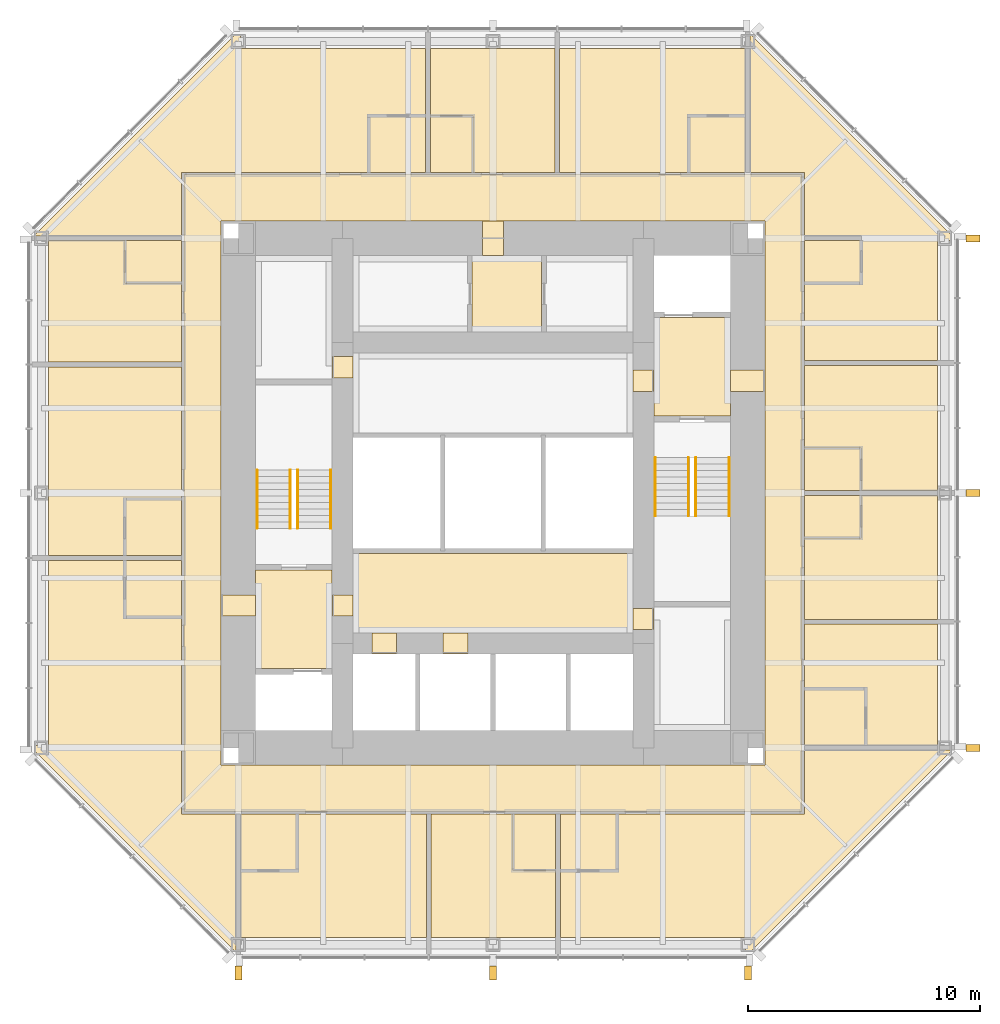
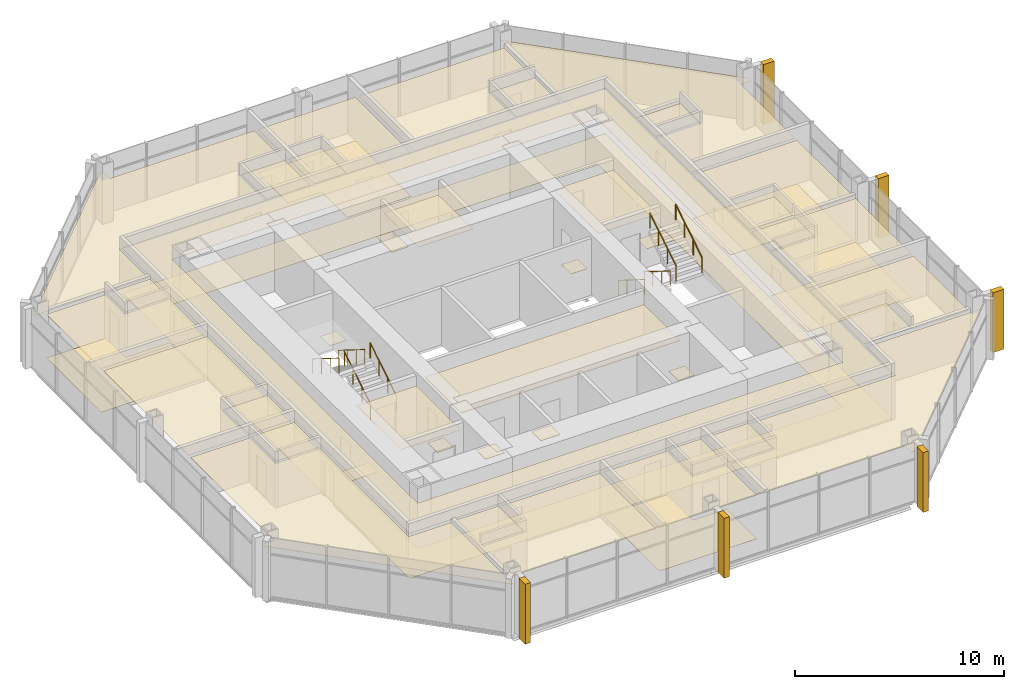
# One storey, part 11 of 11: 52 coverings, 8 railings.
"""IFC4 building model written with IfcOpenShell, lengths in metres."""

from ifc_helpers import new_model, si_unit, direction, frame, origin, origin_2d, place, context, subcontext, project, spatial, polyline, rectangle, circle, outline, extrude, material, layer, layer_set, type_object, element, save


model = new_model("IFC4")

# Units and contexts
model_context = context("Model", 3, precision=1e-05, world=origin(), true_north=direction((0.0, 1.0)))
body_context = subcontext(model_context, "Body", "Model", "MODEL_VIEW")
ifc_project = project(units=[si_unit("LENGTHUNIT", "METRE"), si_unit("AREAUNIT", "SQUARE_METRE"), si_unit("VOLUMEUNIT", "CUBIC_METRE"), si_unit("PLANEANGLEUNIT", "RADIAN"), si_unit("MASSUNIT", "GRAM", prefix="KILO")], contexts=[model_context])

# Site, building, storey
site_placement = place(None, origin())
site = spatial("IfcSite", under=ifc_project, at=site_placement, CompositionType="ELEMENT")
building_placement = place(site_placement, origin())
building = spatial("IfcBuilding", under=site, at=building_placement, Name="Trevanion Tower", CompositionType="ELEMENT")
storey_placement = place(building_placement, frame((0.0, 0.0, 211.699951171875)))
storey = spatial("IfcBuildingStorey", under=building, at=storey_placement, Name="L50", CompositionType="ELEMENT", Elevation=211.699951171875)

# Coverings
ifc_material_1 = material(Name="Fibrous plaster coffers on suspended steel grid", Category="steel")
ifc_layer_1 = layer(ifc_material_1, 0.050048828125)
ifc_layer_set_1 = layer_set([ifc_layer_1], Name="CL1 coffered fibrous plaster ceiling 50")
covering_type_1 = type_object("IfcCoveringType", Name="CL1 coffered fibrous plaster ceiling 50", PredefinedType="CEILING", material=ifc_layer_set_1)
covering_1_placement = place(storey_placement, frame((0.0, 0.0, 2.429931640625)))
element("IfcCovering", 1, at=covering_1_placement, inside=storey, type_object=covering_type_1, Name="CL1 L50-LBS", PredefinedType="CEILING", context=body_context, shape_type="SweptSolid", body=[
    extrude(outline(polyline([(6.050048828125, -6.050048828125), (6.050048828125, -2.60009765625), (-6.050048828125, -2.60009765625), (-6.050048828125, -6.050048828125), (6.050048828125, -6.050048828125)])), origin(), (0.0, 0.0, 1.0), 0.050048828125),
])
ifc_material_2 = material(Name="Mineral fibre acoustic tiles in exposed grid", Category="mineral fibre")
ifc_layer_2 = layer(ifc_material_2, 0.02001953125)
ifc_layer_set_2 = layer_set([ifc_layer_2], Name="CL2 acoustic tile ceiling 20")
covering_type_2 = type_object("IfcCoveringType", Name="CL2 acoustic tile ceiling 20", PredefinedType="CEILING", material=ifc_layer_set_2)
covering_2_placement = place(storey_placement, frame((0.0, 0.0, 2.4599609375)))
element("IfcCovering", 2, at=covering_2_placement, inside=storey, type_object=covering_type_2, Name="CL2 L50-HKC", PredefinedType="CEILING", context=body_context, shape_type="SweptSolid", body=[
    extrude(outline(polyline([(2.10009765625, 6.949951171875), (2.10009765625, 10.25), (-0.89990234375, 10.25), (-0.89990234375, 6.949951171875), (2.10009765625, 6.949951171875)])), origin(), (0.0, 0.0, 1.0), 0.02001953125),
])
covering_3_placement = place(storey_placement, frame((0.0, 0.0, 2.633056640625)))
element("IfcCovering", 3, at=covering_3_placement, inside=storey, type_object=covering_type_2, Name="CL2 L50-CO", PredefinedType="CEILING", context=body_context, shape_type="SweptSolid", body=[
    extrude(outline(polyline([(-13.35009765625, -13.75), (-13.35009765625, 13.75), (13.35009765625, 13.75), (13.35009765625, -13.75), (-13.35009765625, -13.75)]), holes=[polyline([(11.75, 11.75), (-11.75, 11.75), (-11.75, -11.75), (11.75, -11.75), (11.75, 11.75)])]), origin(), (0.0, 0.0, 1.0), 0.02001953125),
])
ifc_material_3 = material(Name="Gypsum plasterboard on suspended metal furring", Category="gypsum")
ifc_layer_3 = layer(ifc_material_3, 0.012939453125)
ifc_layer_set_3 = layer_set([ifc_layer_3], Name="CL3 plasterboard ceiling 13")
covering_type_3 = type_object("IfcCoveringType", Name="CL3 plasterboard ceiling 13", PredefinedType="CEILING", material=ifc_layer_set_3)
covering_4_placement = place(storey_placement, frame((0.0, 0.0, 2.699951171875)))
element("IfcCovering", 4, at=covering_4_placement, inside=storey, type_object=covering_type_3, Name="CL3 L50-FV1", PredefinedType="CEILING", context=body_context, shape_type="SweptSolid", body=[
    extrude(outline(polyline([(10.25, 3.324951171875), (10.25, 7.574951171875), (6.949951171875, 7.574951171875), (6.949951171875, 3.324951171875), (10.25, 3.324951171875)])), origin(), (0.0, 0.0, 1.0), 0.01318359375),
])
covering_5_placement = place(storey_placement, frame((0.0, 0.0, 2.699951171875)))
element("IfcCovering", 5, at=covering_5_placement, inside=storey, type_object=covering_type_3, Name="CL3 L50-FV2", PredefinedType="CEILING", context=body_context, shape_type="SweptSolid", body=[
    extrude(outline(polyline([(-10.25, -3.324951171875), (-10.25, -7.574951171875), (-6.949951171875, -7.574951171875), (-6.949951171875, -3.324951171875), (-10.25, -3.324951171875)])), origin(), (0.0, 0.0, 1.0), 0.01318359375),
])
covering_6_placement = place(storey_placement, frame((0.0, 0.0, 2.551025390625)))
element("IfcCovering", 6, at=covering_6_placement, inside=storey, type_object=covering_type_3, Name="CL3 L50-GA", PredefinedType="CEILING", context=body_context, shape_type="SweptSolid", body=[
    extrude(outline(polyline([(13.449951171875, -5.64892578125), (19.199951171875, -5.64892578125), (19.199951171875, -10.89990234375), (16.10009765625, -10.89990234375), (16.10009765625, -8.449951171875), (13.449951171875, -8.449951171875), (13.449951171875, -5.64892578125)])), origin(), (0.0, 0.0, 1.0), 0.012939453125),
])
covering_7_placement = place(storey_placement, frame((0.0, 0.0, 2.551025390625)))
element("IfcCovering", 7, at=covering_7_placement, inside=storey, type_object=covering_type_3, Name="CL3 L50-GR", PredefinedType="CEILING", context=body_context, shape_type="SweptSolid", body=[
    extrude(outline(polyline([(13.449951171875, -1.949951171875), (15.89990234375, -1.949951171875), (15.89990234375, -0.10009765625), (19.199951171875, -0.10009765625), (19.199951171875, -5.448974609375), (13.449951171875, -5.448974609375), (13.449951171875, -1.949951171875)])), origin(), (0.0, 0.0, 1.0), 0.012939453125),
])
covering_8_placement = place(storey_placement, frame((0.0, 0.0, 2.551025390625)))
element("IfcCovering", 8, at=covering_8_placement, inside=storey, type_object=covering_type_3, Name="CL3 L50-GR2", PredefinedType="CEILING", context=body_context, shape_type="SweptSolid", body=[
    extrude(outline(polyline([(13.449951171875, 5.513916015625), (19.199951171875, 5.513916015625), (19.199951171875, 0.10009765625), (15.89990234375, 0.10009765625), (15.89990234375, 1.949951171875), (13.449951171875, 1.949951171875), (13.449951171875, 5.513916015625)])), origin(), (0.0, 0.0, 1.0), 0.012939453125),
])
covering_9_placement = place(storey_placement, frame((0.0, 0.0, 2.551025390625)))
element("IfcCovering", 9, at=covering_9_placement, inside=storey, type_object=covering_type_3, Name="CL3 L50-GR3", PredefinedType="CEILING", context=body_context, shape_type="SweptSolid", body=[
    extrude(outline(polyline([(11.10009765625, 13.85009765625), (11.10009765625, 19.800048828125), (11.124267578125, 19.800048828125), (19.800048828125, 11.124267578125), (19.800048828125, 10.89990234375), (19.199951171875, 10.89990234375), (19.199951171875, 5.714111328125), (13.449951171875, 5.714111328125), (13.449951171875, 9.050048828125), (15.89990234375, 9.050048828125), (15.89990234375, 10.949951171875), (13.449951171875, 10.949951171875), (13.449951171875, 13.85009765625), (11.10009765625, 13.85009765625)])), origin(), (0.0, 0.0, 1.0), 0.012939453125),
])
covering_10_placement = place(storey_placement, frame((0.0, 0.0, 2.551025390625)))
element("IfcCovering", 10, at=covering_10_placement, inside=storey, type_object=covering_type_3, Name="CL3 L50-GJ", PredefinedType="CEILING", context=body_context, shape_type="SweptSolid", body=[
    extrude(outline(polyline([(2.875, 13.85009765625), (2.875, 19.199951171875), (10.89990234375, 19.199951171875), (10.89990234375, 16.300048828125), (8.449951171875, 16.300048828125), (8.449951171875, 13.85009765625), (2.875, 13.85009765625)])), origin(), (0.0, 0.0, 1.0), 0.012939453125),
])
covering_11_placement = place(storey_placement, frame((0.0, 0.0, 2.551025390625)))
element("IfcCovering", 11, at=covering_11_placement, inside=storey, type_object=covering_type_3, Name="CL3 L50-GR4", PredefinedType="CEILING", context=body_context, shape_type="SweptSolid", body=[
    extrude(outline(polyline([(-0.85693359375, 13.85009765625), (-0.85693359375, 16.300048828125), (-2.70703125, 16.300048828125), (-2.70703125, 19.199951171875), (2.675048828125, 19.199951171875), (2.675048828125, 13.85009765625), (-0.85693359375, 13.85009765625)])), origin(), (0.0, 0.0, 1.0), 0.012939453125),
])
covering_12_placement = place(storey_placement, frame((0.0, 0.0, 2.551025390625)))
element("IfcCovering", 12, at=covering_12_placement, inside=storey, type_object=covering_type_3, Name="CL3 L50-GJ2", PredefinedType="CEILING", context=body_context, shape_type="SweptSolid", body=[
    extrude(outline(polyline([(-13.449951171875, 11.10009765625), (-19.800048828125, 11.10009765625), (-19.800048828125, 11.124267578125), (-11.124267578125, 19.800048828125), (-10.89990234375, 19.800048828125), (-10.89990234375, 19.199951171875), (-2.906982421875, 19.199951171875), (-2.906982421875, 16.300048828125), (-5.35693359375, 16.300048828125), (-5.35693359375, 13.85009765625), (-13.449951171875, 13.85009765625), (-13.449951171875, 11.10009765625)])), origin(), (0.0, 0.0, 1.0), 0.012939453125),
])
covering_13_placement = place(storey_placement, frame((0.0, 0.0, 2.551025390625)))
element("IfcCovering", 13, at=covering_13_placement, inside=storey, type_object=covering_type_3, Name="CL3 L50-GR5", PredefinedType="CEILING", context=body_context, shape_type="SweptSolid", body=[
    extrude(outline(polyline([(-13.449951171875, 5.64892578125), (-19.199951171875, 5.64892578125), (-19.199951171875, 10.89990234375), (-15.89990234375, 10.89990234375), (-15.89990234375, 9.050048828125), (-13.449951171875, 9.050048828125), (-13.449951171875, 5.64892578125)])), origin(), (0.0, 0.0, 1.0), 0.012939453125),
])
covering_14_placement = place(storey_placement, frame((0.0, 0.0, 2.551025390625)))
element("IfcCovering", 14, at=covering_14_placement, inside=storey, type_object=covering_type_3, Name="CL3 L50-GJ3", PredefinedType="CEILING", context=body_context, shape_type="SweptSolid", body=[
    extrude(outline(polyline([(-13.449951171875, -0.257080078125), (-15.89990234375, -0.257080078125), (-15.89990234375, -2.70703125), (-19.199951171875, -2.70703125), (-19.199951171875, 5.448974609375), (-13.449951171875, 5.448974609375), (-13.449951171875, -0.257080078125)])), origin(), (0.0, 0.0, 1.0), 0.012939453125),
])
covering_15_placement = place(storey_placement, frame((0.0, 0.0, 2.551025390625)))
element("IfcCovering", 15, at=covering_15_placement, inside=storey, type_object=covering_type_3, Name="CL3 L50-GJ4", PredefinedType="CEILING", context=body_context, shape_type="SweptSolid", body=[
    extrude(outline(polyline([(-11.10009765625, -13.85009765625), (-11.10009765625, -19.800048828125), (-11.124267578125, -19.800048828125), (-19.800048828125, -11.124267578125), (-19.800048828125, -10.89990234375), (-19.199951171875, -10.89990234375), (-19.199951171875, -2.906982421875), (-15.89990234375, -2.906982421875), (-15.89990234375, -5.35693359375), (-13.449951171875, -5.35693359375), (-13.449951171875, -13.85009765625), (-11.10009765625, -13.85009765625)])), origin(), (0.0, 0.0, 1.0), 0.012939453125),
])
covering_16_placement = place(storey_placement, frame((0.0, 0.0, 2.551025390625)))
element("IfcCovering", 16, at=covering_16_placement, inside=storey, type_object=covering_type_3, Name="CL3 L50-GJ5", PredefinedType="CEILING", context=body_context, shape_type="SweptSolid", body=[
    extrude(outline(polyline([(-2.875, -13.85009765625), (-2.875, -19.199951171875), (-10.89990234375, -19.199951171875), (-10.89990234375, -16.300048828125), (-8.449951171875, -16.300048828125), (-8.449951171875, -13.85009765625), (-2.875, -13.85009765625)])), origin(), (0.0, 0.0, 1.0), 0.012939453125),
])
covering_17_placement = place(storey_placement, frame((0.0, 0.0, 2.551025390625)))
element("IfcCovering", 17, at=covering_17_placement, inside=storey, type_object=covering_type_3, Name="CL3 L50-GR6", PredefinedType="CEILING", context=body_context, shape_type="SweptSolid", body=[
    extrude(outline(polyline([(0.85693359375, -13.85009765625), (0.85693359375, -16.300048828125), (2.70703125, -16.300048828125), (2.70703125, -19.199951171875), (-2.675048828125, -19.199951171875), (-2.675048828125, -13.85009765625), (0.85693359375, -13.85009765625)])), origin(), (0.0, 0.0, 1.0), 0.012939453125),
])
covering_18_placement = place(storey_placement, frame((0.0, 0.0, 2.551025390625)))
element("IfcCovering", 18, at=covering_18_placement, inside=storey, type_object=covering_type_3, Name="CL3 L50-GJ6", PredefinedType="CEILING", context=body_context, shape_type="SweptSolid", body=[
    extrude(outline(polyline([(13.449951171875, -11.10009765625), (19.800048828125, -11.10009765625), (19.800048828125, -11.124267578125), (11.124267578125, -19.800048828125), (10.89990234375, -19.800048828125), (10.89990234375, -19.199951171875), (2.906982421875, -19.199951171875), (2.906982421875, -16.300048828125), (5.35693359375, -16.300048828125), (5.35693359375, -13.85009765625), (13.449951171875, -13.85009765625), (13.449951171875, -11.10009765625)])), origin(), (0.0, 0.0, 1.0), 0.012939453125),
])
ifc_material_4 = material(Name="Moisture-resistant gypsum board on suspended metal furring", Category="gypsum")
ifc_layer_4 = layer(ifc_material_4, 0.01611328125)
ifc_layer_set_4 = layer_set([ifc_layer_4], Name="CL4 moisture-resistant board ceiling 16")
covering_type_4 = type_object("IfcCoveringType", Name="CL4 moisture-resistant board ceiling 16", PredefinedType="CEILING", material=ifc_layer_set_4)
covering_19_placement = place(storey_placement, frame((0.0, 0.0, 2.60009765625)))
element("IfcCovering", 19, at=covering_19_placement, inside=storey, type_object=covering_type_4, Name="CL4 L50-EN", PredefinedType="CEILING", context=body_context, shape_type="SweptSolid", body=[
    extrude(outline(polyline([(16.050048828125, -10.89990234375), (16.050048828125, -8.5), (13.449951171875, -8.5), (13.449951171875, -10.89990234375), (16.050048828125, -10.89990234375)])), origin(), (0.0, 0.0, 1.0), 0.015869140625),
])
covering_20_placement = place(storey_placement, frame((0.0, 0.0, 2.60009765625)))
element("IfcCovering", 20, at=covering_20_placement, inside=storey, type_object=covering_type_4, Name="CL4 L50-EN2", PredefinedType="CEILING", context=body_context, shape_type="SweptSolid", body=[
    extrude(outline(polyline([(15.85009765625, -1.89990234375), (15.85009765625, -0.10009765625), (13.449951171875, -0.10009765625), (13.449951171875, -1.89990234375), (15.85009765625, -1.89990234375)])), origin(), (0.0, 0.0, 1.0), 0.015869140625),
])
covering_21_placement = place(storey_placement, frame((0.0, 0.0, 2.60009765625)))
element("IfcCovering", 21, at=covering_21_placement, inside=storey, type_object=covering_type_4, Name="CL4 L50-EN3", PredefinedType="CEILING", context=body_context, shape_type="SweptSolid", body=[
    extrude(outline(polyline([(15.85009765625, 0.10009765625), (15.85009765625, 1.89990234375), (13.449951171875, 1.89990234375), (13.449951171875, 0.10009765625), (15.85009765625, 0.10009765625)])), origin(), (0.0, 0.0, 1.0), 0.015869140625),
])
covering_22_placement = place(storey_placement, frame((0.0, 0.0, 2.60009765625)))
element("IfcCovering", 22, at=covering_22_placement, inside=storey, type_object=covering_type_4, Name="CL4 L50-EN4", PredefinedType="CEILING", context=body_context, shape_type="SweptSolid", body=[
    extrude(outline(polyline([(15.85009765625, 9.10009765625), (15.85009765625, 10.89990234375), (13.449951171875, 10.89990234375), (13.449951171875, 9.10009765625), (15.85009765625, 9.10009765625)])), origin(), (0.0, 0.0, 1.0), 0.015869140625),
])
covering_23_placement = place(storey_placement, frame((0.0, 0.0, 2.60009765625)))
element("IfcCovering", 23, at=covering_23_placement, inside=storey, type_object=covering_type_4, Name="CL4 L50-EN5", PredefinedType="CEILING", context=body_context, shape_type="SweptSolid", body=[
    extrude(outline(polyline([(10.89990234375, 16.25), (8.5, 16.25), (8.5, 13.85009765625), (10.89990234375, 13.85009765625), (10.89990234375, 16.25)])), origin(), (0.0, 0.0, 1.0), 0.015869140625),
])
covering_24_placement = place(storey_placement, frame((0.0, 0.0, 2.60009765625)))
element("IfcCovering", 24, at=covering_24_placement, inside=storey, type_object=covering_type_4, Name="CL4 L50-EN6", PredefinedType="CEILING", context=body_context, shape_type="SweptSolid", body=[
    extrude(outline(polyline([(-0.906982421875, 16.25), (-2.70703125, 16.25), (-2.70703125, 13.85009765625), (-0.906982421875, 13.85009765625), (-0.906982421875, 16.25)])), origin(), (0.0, 0.0, 1.0), 0.015869140625),
])
covering_25_placement = place(storey_placement, frame((0.0, 0.0, 2.60009765625)))
element("IfcCovering", 25, at=covering_25_placement, inside=storey, type_object=covering_type_4, Name="CL4 L50-EN7", PredefinedType="CEILING", context=body_context, shape_type="SweptSolid", body=[
    extrude(outline(polyline([(-2.906982421875, 16.25), (-5.306884765625, 16.25), (-5.306884765625, 13.85009765625), (-2.906982421875, 13.85009765625), (-2.906982421875, 16.25)])), origin(), (0.0, 0.0, 1.0), 0.015869140625),
])
covering_26_placement = place(storey_placement, frame((0.0, 0.0, 2.60009765625)))
element("IfcCovering", 26, at=covering_26_placement, inside=storey, type_object=covering_type_4, Name="CL4 L50-EN8", PredefinedType="CEILING", context=body_context, shape_type="SweptSolid", body=[
    extrude(outline(polyline([(-15.85009765625, 10.89990234375), (-15.85009765625, 9.10009765625), (-13.449951171875, 9.10009765625), (-13.449951171875, 10.89990234375), (-15.85009765625, 10.89990234375)])), origin(), (0.0, 0.0, 1.0), 0.015869140625),
])
covering_27_placement = place(storey_placement, frame((0.0, 0.0, 2.60009765625)))
element("IfcCovering", 27, at=covering_27_placement, inside=storey, type_object=covering_type_4, Name="CL4 L50-EN9", PredefinedType="CEILING", context=body_context, shape_type="SweptSolid", body=[
    extrude(outline(polyline([(-15.85009765625, -0.306884765625), (-15.85009765625, -2.70703125), (-13.449951171875, -2.70703125), (-13.449951171875, -0.306884765625), (-15.85009765625, -0.306884765625)])), origin(), (0.0, 0.0, 1.0), 0.015869140625),
])
covering_28_placement = place(storey_placement, frame((0.0, 0.0, 2.60009765625)))
element("IfcCovering", 28, at=covering_28_placement, inside=storey, type_object=covering_type_4, Name="CL4 L50-EN10", PredefinedType="CEILING", context=body_context, shape_type="SweptSolid", body=[
    extrude(outline(polyline([(-15.85009765625, -2.906982421875), (-15.85009765625, -5.306884765625), (-13.449951171875, -5.306884765625), (-13.449951171875, -2.906982421875), (-15.85009765625, -2.906982421875)])), origin(), (0.0, 0.0, 1.0), 0.015869140625),
])
covering_29_placement = place(storey_placement, frame((0.0, 0.0, 2.60009765625)))
element("IfcCovering", 29, at=covering_29_placement, inside=storey, type_object=covering_type_4, Name="CL4 L50-EN11", PredefinedType="CEILING", context=body_context, shape_type="SweptSolid", body=[
    extrude(outline(polyline([(-10.89990234375, -16.25), (-8.5, -16.25), (-8.5, -13.85009765625), (-10.89990234375, -13.85009765625), (-10.89990234375, -16.25)])), origin(), (0.0, 0.0, 1.0), 0.015869140625),
])
covering_30_placement = place(storey_placement, frame((0.0, 0.0, 2.60009765625)))
element("IfcCovering", 30, at=covering_30_placement, inside=storey, type_object=covering_type_4, Name="CL4 L50-EN12", PredefinedType="CEILING", context=body_context, shape_type="SweptSolid", body=[
    extrude(outline(polyline([(0.906982421875, -16.25), (2.70703125, -16.25), (2.70703125, -13.85009765625), (0.906982421875, -13.85009765625), (0.906982421875, -16.25)])), origin(), (0.0, 0.0, 1.0), 0.015869140625),
])
covering_31_placement = place(storey_placement, frame((0.0, 0.0, 2.60009765625)))
element("IfcCovering", 31, at=covering_31_placement, inside=storey, type_object=covering_type_4, Name="CL4 L50-EN13", PredefinedType="CEILING", context=body_context, shape_type="SweptSolid", body=[
    extrude(outline(polyline([(2.906982421875, -16.25), (5.306884765625, -16.25), (5.306884765625, -13.85009765625), (2.906982421875, -13.85009765625), (2.906982421875, -16.25)])), origin(), (0.0, 0.0, 1.0), 0.015869140625),
])
ifc_material_5 = material(Name="Cast bronze fin on aluminium carrier", Category="aluminium")
covering_type_5 = type_object("IfcCoveringType", Name="F1 bronze fin", PredefinedType="CLADDING", material=ifc_material_5)
for number, where, z_axis, x_axis, name in (
    (32, (20.72509765625, -11.0, -0.18994140625), (0.0, 0.0, 1.0), (0.0, 1.0, 0.0), "F1 L50 east -11.0"),
    (33, (20.72509765625, 0.0, -0.18994140625), (0.0, 0.0, 1.0), (0.0, 1.0, 0.0), "F1 L50 east +0.0"),
    (34, (20.72509765625, 11.0, -0.18994140625), (0.0, 0.0, 1.0), (0.0, 1.0, 0.0), "F1 L50 east +11.0"),
    (35, (-11.0, -20.72509765625, -0.18994140625), (0.0, 0.0, 1.0), (1.0, 0.0, 0.0), "F1 L50 south -11.0"),
    (36, (0.0, -20.72509765625, -0.18994140625), (0.0, 0.0, 1.0), (1.0, 0.0, 0.0), "F1 L50 south +0.0"),
    (37, (11.0, -20.72509765625, -0.18994140625), (0.0, 0.0, 1.0), (1.0, 0.0, 0.0), "F1 L50 south +11.0"),
):
    element("IfcCovering", number, at=place(storey_placement, frame(where, z_axis=z_axis, x_axis=x_axis)), inside=storey, type_object=covering_type_5, Name=name, PredefinedType="CLADDING", context=body_context, shape_type="SweptSolid", body=[
        extrude(rectangle(XDim=0.300048828125, YDim=0.60009765625, at=origin_2d()), origin(), (0.0, 0.0, 1.0), 3.5),
    ])
ifc_material_6 = material(Name="Terrazzo, brass divider strips", Category="stone")
ifc_layer_5 = layer(ifc_material_6, 0.02001953125)
ifc_layer_set_5 = layer_set([ifc_layer_5], Name="FF1 terrazzo flooring")
covering_type_6 = type_object("IfcCoveringType", Name="FF1 terrazzo flooring", PredefinedType="FLOORING", material=ifc_layer_set_5)
covering_32_placement = place(storey_placement, origin())
element("IfcCovering", 38, at=covering_32_placement, inside=storey, type_object=covering_type_6, Name="FF1 threshold 50-001", PredefinedType="FLOORING", context=body_context, shape_type="SweptSolid", body=[
    extrude(outline(polyline([(11.75, 4.392578125), (11.75, 5.3076171875), (10.25, 5.3076171875), (10.25, 4.392578125), (11.75, 4.392578125)])), origin(), (0.0, 0.0, 1.0), 0.02001953125),
])
covering_33_placement = place(storey_placement, origin())
element("IfcCovering", 39, at=covering_33_placement, inside=storey, type_object=covering_type_6, Name="FF1 threshold 50-002", PredefinedType="FLOORING", context=body_context, shape_type="SweptSolid", body=[
    extrude(outline(polyline([(-11.75, -4.392578125), (-11.75, -5.3076171875), (-10.25, -5.3076171875), (-10.25, -4.392578125), (-11.75, -4.392578125)])), origin(), (0.0, 0.0, 1.0), 0.02001953125),
])
covering_34_placement = place(storey_placement, origin())
element("IfcCovering", 40, at=covering_34_placement, inside=storey, type_object=covering_type_6, Name="FF1 threshold 50-003", PredefinedType="FLOORING", context=body_context, shape_type="SweptSolid", body=[
    extrude(outline(polyline([(6.949951171875, 4.392578125), (6.949951171875, 5.3076171875), (6.050048828125, 5.3076171875), (6.050048828125, 4.392578125), (6.949951171875, 4.392578125)])), origin(), (0.0, 0.0, 1.0), 0.02001953125),
])
covering_35_placement = place(storey_placement, origin())
element("IfcCovering", 41, at=covering_35_placement, inside=storey, type_object=covering_type_6, Name="FF1 threshold 50-004", PredefinedType="FLOORING", context=body_context, shape_type="SweptSolid", body=[
    extrude(outline(polyline([(-6.949951171875, -4.392578125), (-6.949951171875, -5.3076171875), (-6.050048828125, -5.3076171875), (-6.050048828125, -4.392578125), (-6.949951171875, -4.392578125)])), origin(), (0.0, 0.0, 1.0), 0.02001953125),
])
covering_36_placement = place(storey_placement, origin())
element("IfcCovering", 42, at=covering_36_placement, inside=storey, type_object=covering_type_6, Name="FF1 threshold 50-009", PredefinedType="FLOORING", context=body_context, shape_type="SweptSolid", body=[
    extrude(outline(polyline([(6.949951171875, -5.889892578125), (6.949951171875, -4.97509765625), (6.050048828125, -4.97509765625), (6.050048828125, -5.889892578125), (6.949951171875, -5.889892578125)])), origin(), (0.0, 0.0, 1.0), 0.02001953125),
])
covering_37_placement = place(storey_placement, origin())
element("IfcCovering", 43, at=covering_37_placement, inside=storey, type_object=covering_type_6, Name="FF1 threshold 50-010", PredefinedType="FLOORING", context=body_context, shape_type="SweptSolid", body=[
    extrude(outline(polyline([(-6.949951171875, 5.889892578125), (-6.949951171875, 4.97509765625), (-6.050048828125, 4.97509765625), (-6.050048828125, 5.889892578125), (-6.949951171875, 5.889892578125)])), origin(), (0.0, 0.0, 1.0), 0.02001953125),
])
covering_38_placement = place(storey_placement, origin())
element("IfcCovering", 44, at=covering_38_placement, inside=storey, type_object=covering_type_6, Name="FF1 threshold 50-011", PredefinedType="FLOORING", context=body_context, shape_type="SweptSolid", body=[
    extrude(outline(polyline([(-5.2333984375, -6.949951171875), (-4.16650390625, -6.949951171875), (-4.16650390625, -6.050048828125), (-5.2333984375, -6.050048828125), (-5.2333984375, -6.949951171875)])), origin(), (0.0, 0.0, 1.0), 0.02001953125),
])
covering_39_placement = place(storey_placement, origin())
element("IfcCovering", 45, at=covering_39_placement, inside=storey, type_object=covering_type_6, Name="FF1 threshold 50-012", PredefinedType="FLOORING", context=body_context, shape_type="SweptSolid", body=[
    extrude(outline(polyline([(-2.158447265625, -6.949951171875), (-1.091552734375, -6.949951171875), (-1.091552734375, -6.050048828125), (-2.158447265625, -6.050048828125), (-2.158447265625, -6.949951171875)])), origin(), (0.0, 0.0, 1.0), 0.02001953125),
])
covering_40_placement = place(storey_placement, origin())
element("IfcCovering", 46, at=covering_40_placement, inside=storey, type_object=covering_type_6, Name="FF1 threshold 50-013", PredefinedType="FLOORING", context=body_context, shape_type="SweptSolid", body=[
    extrude(outline(polyline([(0.45751953125, 11.75), (-0.45751953125, 11.75), (-0.45751953125, 10.25), (0.45751953125, 10.25), (0.45751953125, 11.75)])), origin(), (0.0, 0.0, 1.0), 0.02001953125),
])
ifc_material_7 = material(Name="Wool carpet on underlay", Category="textile")
ifc_layer_6 = layer(ifc_material_7, 0.011962890625)
ifc_layer_set_6 = layer_set([ifc_layer_6], Name="FF2 carpet flooring")
covering_type_7 = type_object("IfcCoveringType", Name="FF2 carpet flooring", PredefinedType="FLOORING", material=ifc_layer_set_6)
covering_41_placement = place(storey_placement, origin())
element("IfcCovering", 47, at=covering_41_placement, inside=storey, type_object=covering_type_7, Name="FF2 L50-CO", PredefinedType="FLOORING", context=body_context, shape_type="SweptSolid", body=[
    extrude(outline(polyline([(-13.35009765625, -13.75), (-13.35009765625, 13.75), (13.35009765625, 13.75), (13.35009765625, -13.75), (-13.35009765625, -13.75)]), holes=[polyline([(11.75, 11.75), (-11.75, 11.75), (-11.75, -11.75), (11.75, -11.75), (11.75, 11.75)])]), origin(), (0.0, 0.0, 1.0), 0.011962890625),
])
covering_42_placement = place(storey_placement, origin())
element("IfcCovering", 48, at=covering_42_placement, inside=storey, type_object=covering_type_7, Name="FF2 L50-GR", PredefinedType="FLOORING", context=body_context, shape_type="SweptSolid", body=[
    extrude(outline(polyline([(13.449951171875, -1.949951171875), (15.89990234375, -1.949951171875), (15.89990234375, -0.10009765625), (19.199951171875, -0.10009765625), (19.199951171875, -5.448974609375), (13.449951171875, -5.448974609375), (13.449951171875, -1.949951171875)])), origin(), (0.0, 0.0, 1.0), 0.011962890625),
])
covering_43_placement = place(storey_placement, origin())
element("IfcCovering", 49, at=covering_43_placement, inside=storey, type_object=covering_type_7, Name="FF2 L50-GR2", PredefinedType="FLOORING", context=body_context, shape_type="SweptSolid", body=[
    extrude(outline(polyline([(13.449951171875, 5.513916015625), (19.199951171875, 5.513916015625), (19.199951171875, 0.10009765625), (15.89990234375, 0.10009765625), (15.89990234375, 1.949951171875), (13.449951171875, 1.949951171875), (13.449951171875, 5.513916015625)])), origin(), (0.0, 0.0, 1.0), 0.011962890625),
])
covering_44_placement = place(storey_placement, origin())
element("IfcCovering", 50, at=covering_44_placement, inside=storey, type_object=covering_type_7, Name="FF2 L50-GR4", PredefinedType="FLOORING", context=body_context, shape_type="SweptSolid", body=[
    extrude(outline(polyline([(-0.85693359375, 13.85009765625), (-0.85693359375, 16.300048828125), (-2.70703125, 16.300048828125), (-2.70703125, 19.199951171875), (2.675048828125, 19.199951171875), (2.675048828125, 13.85009765625), (-0.85693359375, 13.85009765625)])), origin(), (0.0, 0.0, 1.0), 0.011962890625),
])
covering_45_placement = place(storey_placement, origin())
element("IfcCovering", 51, at=covering_45_placement, inside=storey, type_object=covering_type_7, Name="FF2 L50-GR5", PredefinedType="FLOORING", context=body_context, shape_type="SweptSolid", body=[
    extrude(outline(polyline([(-13.449951171875, 5.64892578125), (-19.199951171875, 5.64892578125), (-19.199951171875, 10.89990234375), (-15.89990234375, 10.89990234375), (-15.89990234375, 9.050048828125), (-13.449951171875, 9.050048828125), (-13.449951171875, 5.64892578125)])), origin(), (0.0, 0.0, 1.0), 0.011962890625),
])
covering_46_placement = place(storey_placement, origin())
element("IfcCovering", 52, at=covering_46_placement, inside=storey, type_object=covering_type_7, Name="FF2 L50-GR6", PredefinedType="FLOORING", context=body_context, shape_type="SweptSolid", body=[
    extrude(outline(polyline([(0.85693359375, -13.85009765625), (0.85693359375, -16.300048828125), (2.70703125, -16.300048828125), (2.70703125, -19.199951171875), (-2.675048828125, -19.199951171875), (-2.675048828125, -13.85009765625), (0.85693359375, -13.85009765625)])), origin(), (0.0, 0.0, 1.0), 0.011962890625),
])

# Railings
ifc_material_8 = material(Name="Stainless steel tube 40 mm", Category="steel")
railing_type = type_object("IfcRailingType", Name="HR1 handrail", PredefinedType="HANDRAIL", material=ifc_material_8)
for number, where, name in (
    (53, (7.010009765625, 1.52490234375, 0.175048828125), "HR1 ST1 L50 flight 1"),
    (54, (8.43994140625, 1.52490234375, 0.175048828125), "HR1 ST1 L50 flight 1"),
):
    element("IfcRailing", number, at=place(storey_placement, frame(where)), inside=storey, type_object=railing_type, Name=name, PredefinedType="HANDRAIL", context=body_context, shape_type="SweptSolid", body=[
        extrude(circle(Radius=0.02001953125, at=origin_2d()), frame((0.0, 0.0, 0.8798828125), z_axis=(0.0, -0.848007534815, 0.529984170421), x_axis=(1.0, 0.0, 0.0)), (0.0, 0.0, 1.0), 2.9716796875),
        extrude(circle(Radius=0.01513671875, at=origin_2d()), origin(), (0.0, 0.0, 1.0), 0.85986328125),
        extrude(circle(Radius=0.01513671875, at=origin_2d()), frame((0.0, -0.840087890625, 0.52490234375)), (0.0, 0.0, 1.0), 0.85986328125),
        extrude(circle(Radius=0.01513671875, at=origin_2d()), frame((0.0, -1.679931640625, 1.050048828125)), (0.0, 0.0, 1.0), 0.85986328125),
        extrude(circle(Radius=0.01513671875, at=origin_2d()), frame((0.0, -2.52001953125, 1.574951171875)), (0.0, 0.0, 1.0), 0.85986328125),
    ])
for number, where, name in (
    (55, (8.760009765625, -0.9951171875, 1.925048828125), "HR1 ST1 L50 flight 2"),
    (56, (10.18994140625, -0.9951171875, 1.925048828125), "HR1 ST1 L50 flight 2"),
    (57, (-7.010009765625, -1.52490234375, 0.175048828125), "HR1 ST2 L50 flight 1"),
    (58, (-8.43994140625, -1.52490234375, 0.175048828125), "HR1 ST2 L50 flight 1"),
):
    element("IfcRailing", number, at=place(storey_placement, frame(where)), inside=storey, type_object=railing_type, Name=name, PredefinedType="HANDRAIL", context=body_context, shape_type="SweptSolid", body=[
        extrude(circle(Radius=0.02001953125, at=origin_2d()), frame((0.0, 0.0, 0.8798828125), z_axis=(0.0, 0.848007534815, 0.529984170421), x_axis=(-1.0, 0.0, 0.0)), (0.0, 0.0, 1.0), 2.9716796875),
        extrude(circle(Radius=0.01513671875, at=origin_2d()), origin(), (0.0, 0.0, 1.0), 0.85986328125),
        extrude(circle(Radius=0.01513671875, at=origin_2d()), frame((0.0, 0.840087890625, 0.52490234375)), (0.0, 0.0, 1.0), 0.85986328125),
        extrude(circle(Radius=0.01513671875, at=origin_2d()), frame((0.0, 1.679931640625, 1.050048828125)), (0.0, 0.0, 1.0), 0.85986328125),
        extrude(circle(Radius=0.01513671875, at=origin_2d()), frame((0.0, 2.52001953125, 1.574951171875)), (0.0, 0.0, 1.0), 0.85986328125),
    ])
for number, where, name in (
    (59, (-8.760009765625, 0.9951171875, 1.925048828125), "HR1 ST2 L50 flight 2"),
    (60, (-10.18994140625, 0.9951171875, 1.925048828125), "HR1 ST2 L50 flight 2"),
):
    element("IfcRailing", number, at=place(storey_placement, frame(where)), inside=storey, type_object=railing_type, Name=name, PredefinedType="HANDRAIL", context=body_context, shape_type="SweptSolid", body=[
        extrude(circle(Radius=0.02001953125, at=origin_2d()), frame((0.0, 0.0, 0.8798828125), z_axis=(0.0, -0.848007534815, 0.529984170421), x_axis=(1.0, 0.0, 0.0)), (0.0, 0.0, 1.0), 2.9716796875),
        extrude(circle(Radius=0.01513671875, at=origin_2d()), origin(), (0.0, 0.0, 1.0), 0.85986328125),
        extrude(circle(Radius=0.01513671875, at=origin_2d()), frame((0.0, -0.840087890625, 0.52490234375)), (0.0, 0.0, 1.0), 0.85986328125),
        extrude(circle(Radius=0.01513671875, at=origin_2d()), frame((0.0, -1.679931640625, 1.050048828125)), (0.0, 0.0, 1.0), 0.85986328125),
        extrude(circle(Radius=0.01513671875, at=origin_2d()), frame((0.0, -2.52001953125, 1.574951171875)), (0.0, 0.0, 1.0), 0.85986328125),
    ])

save(model, "model.ifc")
